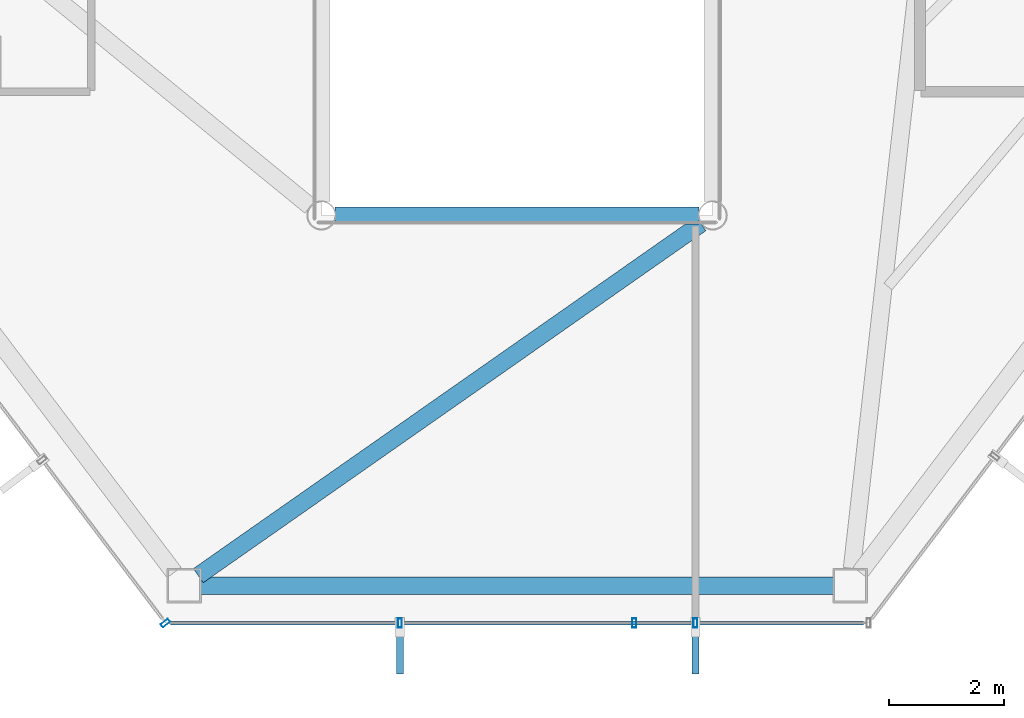
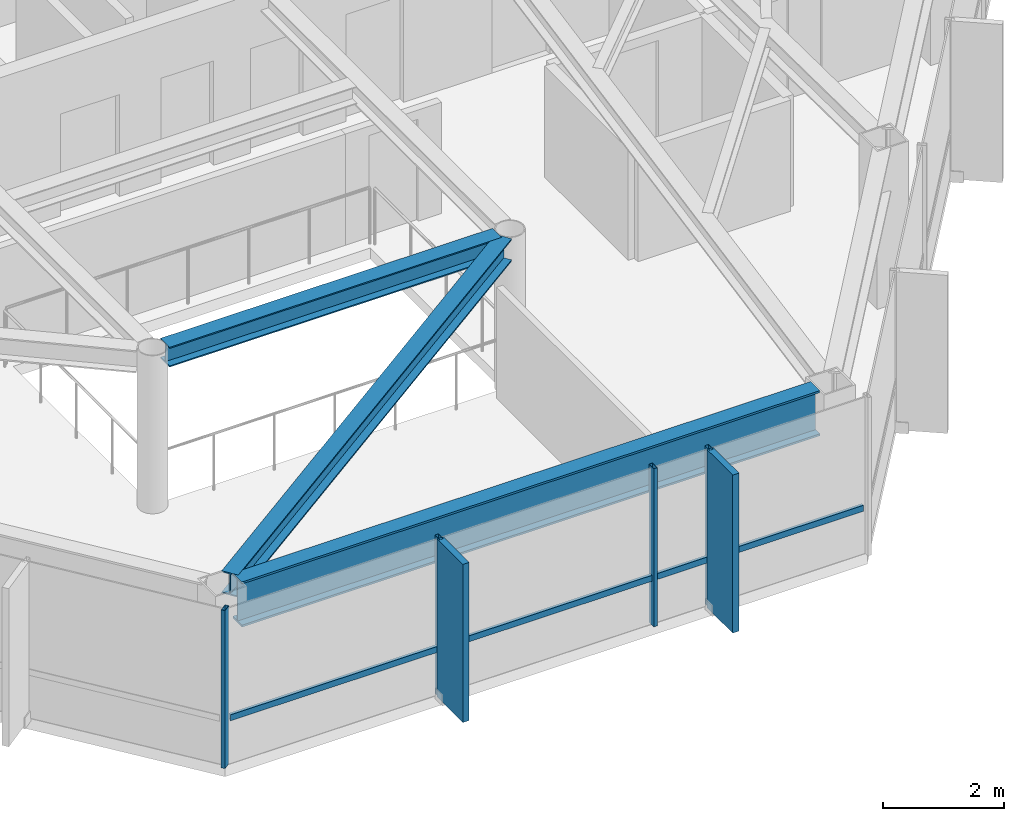
# One storey, part 7 of 28: 7 members, 3 beams, 2 elements without a shape of their own.
"""IFC4 building model written with IfcOpenShell, lengths in metres."""

import ifcopenshell
import ifcopenshell.guid

model = None  # the IFC model being written
_history = None  # IfcOwnerHistory: only IFC2X3 demands one
_inside = {}  # id of a spatial element -> (the spatial element, [elements in it])
_under = {}  # id of a project, library or spatial element -> (it, [spatial elements below it])
_declared = {}  # id of a project -> (the project, [libraries it declares])
_typed = {}  # id of a type object -> (the type object, [elements of that type])
_made_of = {}  # id of a material, layer set ... -> (it, [elements and type objects made of it])


def new_model(schema):
    """Start an empty IFC model of exactly this schema.

    Asked for "IFC4X3", IfcOpenShell would pick the latest addendum, in which some entities
    have other attributes; the version numbers below select the first issue.
    IFC2X3 requires an IfcOwnerHistory on every rooted entity: one is made here for all.
    """
    global model, _history
    if schema == "IFC4X3":
        model = ifcopenshell.file(schema_version=(4, 3, 0, 0))
    else:
        model = ifcopenshell.file(schema=schema)
    _inside.clear()
    _under.clear()
    _declared.clear()
    _typed.clear()
    _made_of.clear()
    _history = None
    if model.schema == "IFC2X3":
        org = make("IfcOrganization", Name="unknown")
        user = make(
            "IfcPersonAndOrganization",
            ThePerson=make("IfcPerson", FamilyName="unknown"),
            TheOrganization=org,
        )
        app = make(
            "IfcApplication",
            ApplicationDeveloper=org,
            Version="unknown",
            ApplicationFullName="unknown",
            ApplicationIdentifier="unknown",
        )
        _history = make(
            "IfcOwnerHistory",
            OwningUser=user,
            OwningApplication=app,
            ChangeAction="ADDED",
            CreationDate=0,
        )
    return model


def make(cls, **values):
    """One entity of the class cls with the attributes given. An attribute that is None is left unset."""
    return model.create_entity(
        cls, **{name: value for name, value in values.items() if value is not None}
    )


def rooted(cls, **values):
    """An entity with a GlobalId (a new one), such as an element, a storey or a relation."""
    return make(cls, GlobalId=ifcopenshell.guid.new(), OwnerHistory=_history, **values)


def si_unit(unit_type, name, prefix=None):
    """IfcSIUnit, for example si_unit("LENGTHUNIT", "METRE", prefix="MILLI")."""
    return make("IfcSIUnit", UnitType=unit_type, Prefix=prefix, Name=name)


def assignment(units):
    """IfcUnitAssignment: the units of a project."""
    return None if units is None else make("IfcUnitAssignment", Units=units)


def point(xyz):
    """IfcCartesianPoint."""
    return None if xyz is None else make("IfcCartesianPoint", Coordinates=xyz)


def direction(xyz):
    """IfcDirection."""
    return None if xyz is None else make("IfcDirection", DirectionRatios=xyz)


def frame(location, z_axis=None, x_axis=None):
    """IfcAxis2Placement3D, a coordinate frame: its origin and axes. An axis left out is left unset."""
    return make(
        "IfcAxis2Placement3D",
        Location=point(location),
        Axis=direction(z_axis),
        RefDirection=direction(x_axis),
    )


def frame_2d(location, x_axis=None):
    """IfcAxis2Placement2D, a coordinate frame in the plane: its origin and x axis."""
    return make(
        "IfcAxis2Placement2D", Location=point(location), RefDirection=direction(x_axis)
    )


def origin():
    """The frame at (0, 0, 0) with its axes left unset."""
    return frame((0.0, 0.0, 0.0))


def origin_2d():
    """The frame at (0, 0) in the plane with its x axis left unset."""
    return frame_2d((0.0, 0.0))


def place(relative_to, where):
    """IfcLocalPlacement: puts the frame where relative to a parent placement (None: the world)."""
    return make(
        "IfcLocalPlacement", PlacementRelTo=relative_to, RelativePlacement=where
    )


def context(
    kind, dimensions, precision=None, world=None, true_north=None, identifier=None
):
    """IfcGeometricRepresentationContext, for example the 3D "Model" context."""
    return make(
        "IfcGeometricRepresentationContext",
        ContextIdentifier=identifier,
        ContextType=kind,
        CoordinateSpaceDimension=dimensions,
        Precision=precision,
        WorldCoordinateSystem=world,
        TrueNorth=true_north,
    )


def subcontext(parent, identifier, kind, view, scale=None):
    """IfcGeometricRepresentationSubContext, for example "Body" below "Model"."""
    return make(
        "IfcGeometricRepresentationSubContext",
        ContextIdentifier=identifier,
        ContextType=kind,
        ParentContext=parent,
        TargetScale=scale,
        TargetView=view,
    )


def project(units=None, contexts=None):
    """IfcProject with its units and contexts."""
    return rooted(
        "IfcProject",
        Name="project",
        RepresentationContexts=contexts,
        UnitsInContext=assignment(units),
    )


def spatial(cls, under=None, at=None, **own):
    """A site, building, storey or space (cls), placed at a placement, below another one or the project."""
    s = rooted(cls, ObjectPlacement=at, **own)
    if under is not None:
        _under.setdefault(under.id(), (under, []))[1].append(s)
    return s


def profile(cls, at=None, kind="AREA", **sizes):
    """A parametric profile (cls). Its sizes go by their IFC names, for example OverallWidth=200.0."""
    return make(cls, ProfileType=kind, Position=at, **sizes)


def rectangle(**sizes):
    """IfcRectangleProfileDef."""
    return profile("IfcRectangleProfileDef", **sizes)


def hollow_rectangle(**sizes):
    """IfcRectangleHollowProfileDef."""
    return profile("IfcRectangleHollowProfileDef", **sizes)


def i_section(**sizes):
    """IfcIShapeProfileDef."""
    return profile("IfcIShapeProfileDef", **sizes)


def extrude(swept, where, along, depth):
    """IfcExtrudedAreaSolid: the profile swept, set in the frame where, extruded along a direction by depth."""
    return make(
        "IfcExtrudedAreaSolid",
        SweptArea=swept,
        Position=where,
        ExtrudedDirection=direction(along),
        Depth=depth,
    )


def shape(context_of_items, identifier, shape_type, items):
    """IfcShapeRepresentation: the items that make up one representation, for example the "Body"."""
    return make(
        "IfcShapeRepresentation",
        ContextOfItems=context_of_items,
        RepresentationIdentifier=identifier,
        RepresentationType=shape_type,
        Items=items,
    )


def material(Name=None, Category=None):
    """IfcMaterial."""
    return make("IfcMaterial", Name=Name, Category=Category)


def layer(
    of_material, thickness, ventilated=None, Name=None, Category=None, Priority=None
):
    """IfcMaterialLayer: one layer of a wall or slab, of a material (None: an air gap)."""
    return make(
        "IfcMaterialLayer",
        Material=of_material,
        LayerThickness=thickness,
        IsVentilated=ventilated,
        Name=Name,
        Category=Category,
        Priority=Priority,
    )


def layer_set(layers, Name=None):
    """IfcMaterialLayerSet."""
    return make("IfcMaterialLayerSet", MaterialLayers=layers, LayerSetName=Name)


def material_profile(
    of_material, cross_section, Name=None, Category=None, Priority=None
):
    """IfcMaterialProfile: a cross section and its material."""
    return make(
        "IfcMaterialProfile",
        Name=Name,
        Material=of_material,
        Profile=cross_section,
        Priority=Priority,
        Category=Category,
    )


def profile_set(profiles, Name=None, composite=None):
    """IfcMaterialProfileSet."""
    return make(
        "IfcMaterialProfileSet",
        Name=Name,
        MaterialProfiles=profiles,
        CompositeProfile=composite,
    )


def made_of(thing, what):
    """Note that an element or type object is made of a material, layer set ...; save() writes the relation."""
    if what is not None:
        _made_of.setdefault(what.id(), (what, []))[1].append(thing)
    return thing


def type_object(cls, material=None, **own):
    """A type object (cls), such as IfcWallType, which elements share."""
    return made_of(rooted(cls, **own), material)


def element(
    cls,
    number,
    at=None,
    inside=None,
    cuts=None,
    type_object=None,
    material=None,
    context=None,
    identifier="Body",
    shape_type=None,
    held_by="IfcProductDefinitionShape",
    body=None,
    shapes=None,
    **own,
):
    """One element of the class cls, such as IfcWall. Its Tag is "e" and its number.

    at: its placement. inside: the storey or other place that contains it. cuts: it is an
    opening in that element (IfcRelVoidsElement). A single representation is given by context,
    identifier, shape_type and body (its items); several are given by shapes. held_by: the class
    of the entity that holds the representations. save() writes the other relations.
    """
    e = rooted(cls, Tag="e%d" % number, ObjectPlacement=at, **own)
    if body is not None:
        shapes = [shape(context, identifier, shape_type, body)]
    if shapes is not None:
        e.Representation = make(held_by, Representations=shapes)
    if inside is not None:
        _inside.setdefault(inside.id(), (inside, []))[1].append(e)
    if cuts is not None:
        rooted(
            "IfcRelVoidsElement", RelatingBuildingElement=cuts, RelatedOpeningElement=e
        )
    if type_object is not None:
        _typed.setdefault(type_object.id(), (type_object, []))[1].append(e)
    return made_of(e, material)


def aggregate(whole, parts):
    """IfcRelAggregates: a whole, such as a stair, and the parts it consists of."""
    return rooted("IfcRelAggregates", RelatingObject=whole, RelatedObjects=parts)


def save(model, path):
    """Write the relations noted so far, then the file.

    IfcRelAggregates (storeys below a building ...), IfcRelContainedInSpatialStructure (elements
    in a storey), IfcRelDefinesByType, IfcRelAssociatesMaterial and IfcRelDeclares: one each for
    every whole, place, type object, material and project.
    """
    for whole, parts in _under.values():
        aggregate(whole, parts)
    for where, things in _inside.values():
        rooted(
            "IfcRelContainedInSpatialStructure",
            RelatedElements=things,
            RelatingStructure=where,
        )
    for kind, things in _typed.values():
        rooted("IfcRelDefinesByType", RelatedObjects=things, RelatingType=kind)
    for what, things in _made_of.values():
        rooted("IfcRelAssociatesMaterial", RelatedObjects=things, RelatingMaterial=what)
    for by, libraries in _declared.values():
        rooted("IfcRelDeclares", RelatingContext=by, RelatedDefinitions=libraries)
    model.write(path)


model = new_model("IFC4")

# Units and contexts
model_context = context("Model", 3, precision=1e-05, world=origin(), true_north=direction((0.0, 1.0)))
body_context = subcontext(model_context, "Body", "Model", "MODEL_VIEW")
ifc_project = project(units=[si_unit("LENGTHUNIT", "METRE"), si_unit("AREAUNIT", "SQUARE_METRE"), si_unit("VOLUMEUNIT", "CUBIC_METRE"), si_unit("PLANEANGLEUNIT", "RADIAN"), si_unit("MASSUNIT", "GRAM", prefix="KILO")], contexts=[model_context])

# Site, building, storey
site_placement = place(None, origin())
site = spatial("IfcSite", under=ifc_project, at=site_placement, CompositionType="ELEMENT")
building_placement = place(site_placement, origin())
building = spatial("IfcBuilding", under=site, at=building_placement, Name="Zarrinselat Tower", CompositionType="ELEMENT")
storey_placement = place(building_placement, frame((0.0, 0.0, 222.360107421875)))
storey = spatial("IfcBuildingStorey", under=building, at=storey_placement, Name="L55", CompositionType="ELEMENT", Elevation=222.360107421875)

# Beams
ifc_material_1 = material(Name="Steel S355J2", Category="steel")
ifc_material_profile_1 = material_profile(ifc_material_1, i_section(OverallWidth=0.300048828125, OverallDepth=0.39990234375, WebThickness=0.013427734375, FlangeThickness=0.02392578125, at=origin_2d()), Name="HEB 400")
ifc_profile_set_1 = profile_set([ifc_material_profile_1], Name="Steel S355J2")
beam_type_1 = type_object("IfcBeamType", Name="BM-HEB400", PredefinedType="BEAM", material=ifc_profile_set_1)
beam_1_placement = place(storey_placement, frame((35.239990234375, 25.199951171875, 2.97998046875), z_axis=(1.0, 0.0, 0.0), x_axis=(0.0, 1.0, 0.0)))
element("IfcBeam", 1, at=beam_1_placement, inside=storey, type_object=beam_type_1, Name="L55 Atrium Edge Beam S", PredefinedType="BEAM", context=body_context, shape_type="SweptSolid", body=[
    extrude(i_section(OverallWidth=0.300048828125, OverallDepth=0.39990234375, WebThickness=0.013427734375, FlangeThickness=0.02392578125, at=origin_2d()), origin(), (0.0, 0.0, 1.0), 6.320068359375),
])
ifc_material_2 = material(Name="Steel S355J2", Category="steel")
ifc_material_profile_2 = material_profile(ifc_material_2, i_section(OverallWidth=0.300048828125, OverallDepth=0.449951171875, WebThickness=0.013916015625, FlangeThickness=0.02587890625, at=origin_2d()), Name="HEB 450")
ifc_profile_set_2 = profile_set([ifc_material_profile_2], Name="Steel S355J2")
beam_type_2 = type_object("IfcBeamType", Name="BM-HEB450", PredefinedType="BEAM", material=ifc_profile_set_2)
beam_2_placement = place(storey_placement, frame((32.860107421875, 18.93994140625, 2.954833984375), z_axis=(0.819138334561, 0.573596015374, 0.0), x_axis=(-0.573596015374, 0.819138334561, 0.0)))
element("IfcBeam", 2, at=beam_2_placement, inside=storey, type_object=beam_type_2, Name="L55 Radial Primary Girder RG10", PredefinedType="BEAM", context=body_context, shape_type="SweptSolid", body=[
    extrude(i_section(OverallWidth=0.300048828125, OverallDepth=0.449951171875, WebThickness=0.013916015625, FlangeThickness=0.02587890625, at=origin_2d()), origin(), (0.0, 0.0, 1.0), 10.663818359375),
])
ifc_material_3 = material(Name="Steel S460M", Category="steel")
ifc_material_profile_3 = material_profile(ifc_material_3, i_section(OverallWidth=0.302001953125, OverallDepth=0.909912109375, WebThickness=0.02099609375, FlangeThickness=0.0400390625, at=origin_2d()), Name="HEM 900")
ifc_profile_set_3 = profile_set([ifc_material_profile_3], Name="Steel S460M")
beam_type_3 = type_object("IfcBeamType", Name="BM-HEM900", PredefinedType="BEAM", material=ifc_profile_set_3)
beam_3_placement = place(storey_placement, frame((32.90087890625, 18.7666015625, 2.724853515625), z_axis=(1.0, 0.0, 0.0), x_axis=(0.0, 1.0, 0.0)))
element("IfcBeam", 3, at=beam_3_placement, inside=storey, type_object=beam_type_3, Name="L55 Perimeter Spandrel Girder SP10", PredefinedType="BEAM", context=body_context, shape_type="SweptSolid", body=[
    extrude(i_section(OverallWidth=0.302001953125, OverallDepth=0.909912109375, WebThickness=0.02099609375, FlangeThickness=0.0400390625, at=origin_2d()), origin(), (0.0, 0.0, 1.0), 10.998291015625),
])

# Curtain wall, member
ifc_material_4 = material(Name="Extruded Aluminium Alloy EN AW-6063 T6", Category="aluminium")
ifc_layer = layer(ifc_material_4, 0.169921875)
ifc_layer_set = layer_set([ifc_layer], Name="Extruded Aluminium Alloy EN AW-6063 T6")
curtain_wall_type = type_object("IfcCurtainWallType", Name="CWS-RES", PredefinedType="NOTDEFINED", material=ifc_layer_set)
curtain_wall_1_placement = place(storey_placement, origin())
curtain_wall_1 = element("IfcCurtainWall", 4, at=curtain_wall_1_placement, inside=storey, type_object=curtain_wall_type, Name="L55 Unitised Curtain Wall CW-L55-E03", PredefinedType="NOTDEFINED")
ifc_material_5 = material(Name="Extruded Aluminium Alloy EN AW-6063 T6", Category="aluminium")
ifc_material_profile_4 = material_profile(ifc_material_5, hollow_rectangle(XDim=0.070068359375, YDim=0.159912109375, WallThickness=0.00390625, at=origin_2d()), Name="RHS 160x70x4")
ifc_profile_set_4 = profile_set([ifc_material_profile_4], Name="Extruded Aluminium Alloy EN AW-6063 T6")
member_type_1 = type_object("IfcMemberType", Name="MEM-CW-MUL2", PredefinedType="MULLION", material=ifc_profile_set_4)
member_1_placement = place(storey_placement, frame((32.289794921875, 18.11669921875, 0.0), z_axis=(0.0, 0.0, 1.0), x_axis=(0.603859787908, -0.797090557307, 0.0)))
member_1 = element("IfcMember", 5, at=member_1_placement, type_object=member_type_1, Name="CW-L55-E03 Mullion 8", PredefinedType="MULLION", context=body_context, shape_type="SweptSolid", body=[
    extrude(hollow_rectangle(XDim=0.070068359375, YDim=0.159912109375, WallThickness=0.00390625, at=origin_2d()), origin(), (0.0, 0.0, 1.0), 3.179931640625),
])
aggregate(curtain_wall_1, [member_1])

# Curtain wall, members
curtain_wall_2_placement = place(storey_placement, origin())
curtain_wall_2 = element("IfcCurtainWall", 6, at=curtain_wall_2_placement, inside=storey, type_object=curtain_wall_type, Name="L55 Unitised Curtain Wall CW-L55-E04", PredefinedType="NOTDEFINED")
member_2_placement = place(storey_placement, frame((36.36328125, 18.11669921875, 0.0), z_axis=(0.0, 0.0, 1.0), x_axis=(1.0, 0.0, 0.0)))
member_2 = element("IfcMember", 7, at=member_2_placement, type_object=member_type_1, Name="CW-L55-E04 Mullion 1", PredefinedType="MULLION", context=body_context, shape_type="SweptSolid", body=[
    extrude(hollow_rectangle(XDim=0.070068359375, YDim=0.159912109375, WallThickness=0.00390625, at=origin_2d()), origin(), (0.0, 0.0, 1.0), 3.179931640625),
])
member_3_placement = place(storey_placement, frame((40.436767578125, 18.11669921875, 0.0), z_axis=(0.0, 0.0, 1.0), x_axis=(1.0, 0.0, 0.0)))
member_3 = element("IfcMember", 8, at=member_3_placement, type_object=member_type_1, Name="CW-L55-E04 Mullion 2", PredefinedType="MULLION", context=body_context, shape_type="SweptSolid", body=[
    extrude(hollow_rectangle(XDim=0.070068359375, YDim=0.159912109375, WallThickness=0.00390625, at=origin_2d()), origin(), (0.0, 0.0, 1.0), 3.179931640625),
])
member_4_placement = place(storey_placement, frame((41.5, 18.11669921875, 0.0), z_axis=(0.0, 0.0, 1.0), x_axis=(1.0, 0.0, 0.0)))
member_4 = element("IfcMember", 9, at=member_4_placement, type_object=member_type_1, Name="CW-L55-E04 Mullion 3", PredefinedType="MULLION", context=body_context, shape_type="SweptSolid", body=[
    extrude(hollow_rectangle(XDim=0.070068359375, YDim=0.159912109375, WallThickness=0.00390625, at=origin_2d()), origin(), (0.0, 0.0, 1.0), 3.179931640625),
])
ifc_material_6 = material(Name="Extruded Aluminium Alloy EN AW-6063 T6", Category="aluminium")
ifc_material_profile_5 = material_profile(ifc_material_6, hollow_rectangle(XDim=0.06005859375, YDim=0.1201171875, WallThickness=0.00390625, at=origin_2d()), Name="RHS 120x60x4")
ifc_profile_set_5 = profile_set([ifc_material_profile_5], Name="Extruded Aluminium Alloy EN AW-6063 T6")
member_type_2 = type_object("IfcMemberType", Name="MEM-CW-TRN2", PredefinedType="USERDEFINED", material=ifc_profile_set_5)
member_5_placement = place(storey_placement, frame((32.3798828125, 18.11669921875, 0.949951171875), z_axis=(1.0, 0.0, 0.0), x_axis=(0.0, 1.0, 0.0)))
member_5 = element("IfcMember", 10, at=member_5_placement, type_object=member_type_2, Name="CW-L55-E04 Transom 1", ObjectType="TRANSOM", PredefinedType="USERDEFINED", context=body_context, shape_type="SweptSolid", body=[
    extrude(hollow_rectangle(XDim=0.06005859375, YDim=0.1201171875, WallThickness=0.00390625, at=origin_2d()), origin(), (0.0, 0.0, 1.0), 12.040283203125),
])
ifc_material_7 = material(Name="Honed Cream Travertine Stone", Category="masonry")
ifc_material_profile_6 = material_profile(ifc_material_7, rectangle(XDim=0.1201171875, YDim=0.85009765625, at=origin_2d()), Name="FIN 850x120")
ifc_profile_set_6 = profile_set([ifc_material_profile_6], Name="Honed Cream Travertine Stone")
member_type_3 = type_object("IfcMemberType", Name="MEM-STONE-FIN", PredefinedType="USERDEFINED", material=ifc_profile_set_6)
member_6_placement = place(storey_placement, frame((36.36328125, 17.65673828125, 0.0), z_axis=(0.0, 0.0, 1.0), x_axis=(-1.0, 0.0, 0.0)))
member_6 = element("IfcMember", 11, at=member_6_placement, type_object=member_type_3, Name="L55 Stone Shading Fin CW-L55-E04-01", ObjectType="FIN", PredefinedType="USERDEFINED", context=body_context, shape_type="SweptSolid", body=[
    extrude(rectangle(XDim=0.1201171875, YDim=0.85009765625, at=origin_2d()), origin(), (0.0, 0.0, 1.0), 3.179931640625),
])
member_7_placement = place(storey_placement, frame((41.5, 17.65673828125, 0.0), z_axis=(0.0, 0.0, 1.0), x_axis=(-1.0, 0.0, 0.0)))
member_7 = element("IfcMember", 12, at=member_7_placement, type_object=member_type_3, Name="L55 Stone Shading Fin CW-L55-E04-03", ObjectType="FIN", PredefinedType="USERDEFINED", context=body_context, shape_type="SweptSolid", body=[
    extrude(rectangle(XDim=0.1201171875, YDim=0.85009765625, at=origin_2d()), origin(), (0.0, 0.0, 1.0), 3.179931640625),
])
aggregate(curtain_wall_2, [member_2, member_6, member_3, member_4, member_7, member_5])

save(model, "model.ifc")
